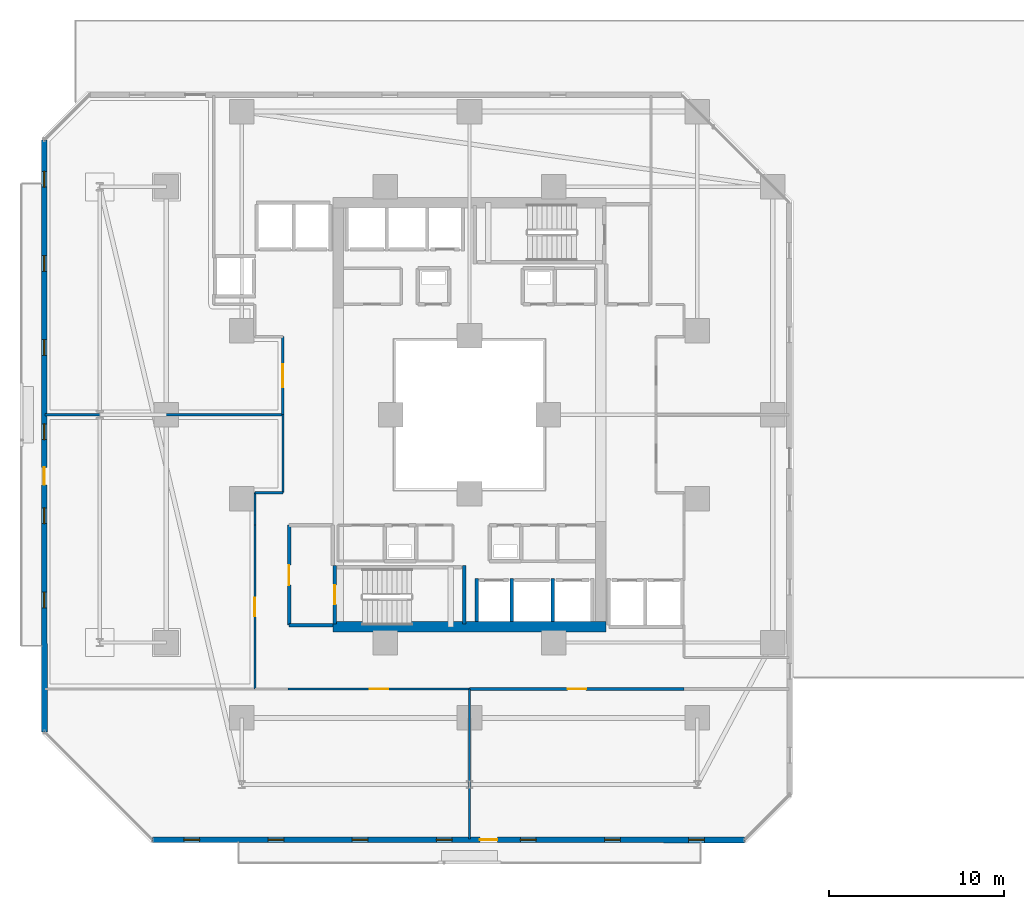
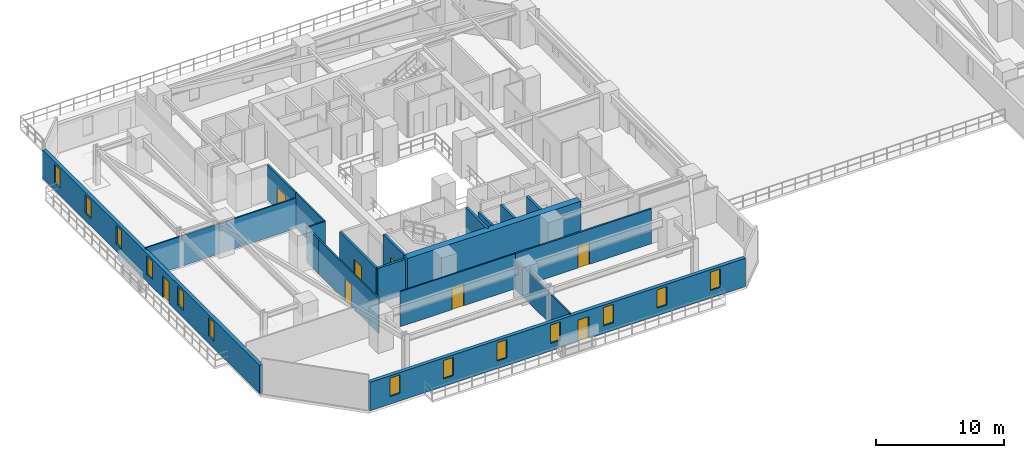
# One storey, part 18 of 34: 19 walls, 13 windows, 8 doors, 21 openings.
"""IFC4 building model written with IfcOpenShell, lengths in metres."""

from ifc_helpers import new_model, si_unit, direction, frame, frame_2d, origin, place, context, subcontext, project, spatial, rectangle, extrude, material, layer, layer_set, type_object, element, fill, save


model = new_model("IFC4")

# Units and contexts
model_context = context("Model", 3, precision=1e-05, world=origin(), true_north=direction((0.0, 1.0)))
body_context = subcontext(model_context, "Body", "Model", "MODEL_VIEW")
ifc_project = project(units=[si_unit("LENGTHUNIT", "METRE"), si_unit("AREAUNIT", "SQUARE_METRE"), si_unit("VOLUMEUNIT", "CUBIC_METRE"), si_unit("PLANEANGLEUNIT", "RADIAN"), si_unit("MASSUNIT", "GRAM", prefix="KILO")], contexts=[model_context])

# Site, building, storey
site_placement = place(None, origin())
site = spatial("IfcSite", under=ifc_project, at=site_placement, CompositionType="ELEMENT")
building_placement = place(site_placement, origin())
building = spatial("IfcBuilding", under=site, at=building_placement, Name="Thornwick Lancets Civic Towers", CompositionType="ELEMENT")
storey_placement = place(building_placement, frame((0.0, 0.0, 27.89990234375)))
storey = spatial("IfcBuildingStorey", under=building, at=storey_placement, Name="L06", CompositionType="ELEMENT", Elevation=27.89990234375)

# Walls
ifc_material_1 = material(Name="Concrete blockwork C40/50", Category="masonry")
ifc_layer_1 = layer(ifc_material_1, 0.199951171875, Name="Concrete blockwork C40/50")
ifc_layer_set_1 = layer_set([ifc_layer_1], Name="Concrete blockwork C40/50")
wall_type_1 = type_object("IfcWallType", Name="WALL_COMP_200", PredefinedType="STANDARD", material=ifc_layer_set_1)
for number, where, z_axis, x_axis, name in (
    (1, (27.89990234375, 15.2119140625, 0.0), (0.0, 0.0, 1.0), (0.0, 1.0, 0.0), "L06 Hoistway Shaft Wall FL-A1 E"),
    (2, (25.89990234375, 15.2119140625, 0.0), (0.0, 0.0, 1.0), (0.0, 1.0, 0.0), "L06 Hoistway Shaft Wall FL-A1 W"),
    (3, (30.25, 15.2119140625, 0.0), (0.0, 0.0, 1.0), (0.0, 1.0, 0.0), "L06 Hoistway Shaft Wall PL-AH1 E"),
):
    element("IfcWall", number, at=place(storey_placement, frame(where, z_axis=z_axis, x_axis=x_axis)), inside=storey, type_object=wall_type_1, Name=name, PredefinedType="STANDARD", context=body_context, shape_type="SweptSolid", body=[
        extrude(rectangle(XDim=2.43603515625, YDim=0.199951171875, at=frame_2d((1.218017578125, 0.0))), origin(), (0.0, 0.0, 1.0), 3.340087890625),
    ])
wall_1_placement = place(storey_placement, frame((15.199951171875, 15.0, 0.0), z_axis=(0.0, 0.0, 1.0), x_axis=(1.0, 0.0, 0.0)))
element("IfcWall", 4, at=wall_1_placement, inside=storey, type_object=wall_type_1, Name="L06 Partition L06-A-FFLOB1 E1", PredefinedType="STANDARD", context=body_context, shape_type="SweptSolid", body=[
    extrude(rectangle(XDim=2.5, YDim=0.199951171875, at=frame_2d((1.25, 0.0))), origin(), (0.0, 0.0, 1.0), 3.340087890625),
])

# Wall, opening, door
wall_2_placement = place(storey_placement, frame((15.199951171875, 20.699951171875, 0.0), z_axis=(0.0, 0.0, 1.0), x_axis=(0.0, -1.0, 0.0)))
wall_2 = element("IfcWall", 5, at=wall_2_placement, inside=storey, type_object=wall_type_1, Name="L06 Partition L06-A-FFLOB1 E4", PredefinedType="STANDARD", context=body_context, shape_type="SweptSolid", body=[
    extrude(rectangle(XDim=5.699951171875, YDim=0.199951171875, at=frame_2d((2.85009765625, 0.0))), origin(), (0.0, 0.0, 1.0), 3.340087890625),
])
opening_1_placement = place(wall_2_placement, frame((2.27490234375, 0.0, 0.0)))
opening_1 = element("IfcOpeningElement", 6, at=opening_1_placement, cuts=wall_2, Name="Opening D-L06-0321", PredefinedType="OPENING", context=body_context, shape_type="SweptSolid", body=[
    extrude(rectangle(XDim=1.14990234375, YDim=2.10009765625, at=frame_2d((0.574951171875, 1.050048828125))), frame((0.0, 0.10986328125, 0.0), z_axis=(0.0, -1.0, 0.0), x_axis=(1.0, 0.0, 0.0)), (0.0, 0.0, 1.0), 0.219970703125),
])
ifc_material_2 = material(Name="Glazed fire-resisting steel", Category="steel")
door_type_1 = type_object("IfcDoorType", Name="DOOR_LOBBY_FD60", OperationType="NOTDEFINED", PredefinedType="DOOR", material=ifc_material_2)
door_1_placement = place(opening_1_placement, origin())
door_1 = element("IfcDoor", 7, at=door_1_placement, inside=storey, type_object=door_type_1, Name="L06 South Firefighting Lobby 1 Door", OperationType="SINGLE_SWING_RIGHT", OverallHeight=2.10009765625, OverallWidth=1.14990234375, PredefinedType="DOOR", context=body_context, shape_type="SweptSolid", body=[
    extrude(rectangle(XDim=1.14990234375, YDim=2.10009765625, at=frame_2d((0.574951171875, 1.050048828125))), frame((0.0, 0.02490234375, 0.0), z_axis=(0.0, -1.0, 0.0), x_axis=(1.0, 0.0, 0.0)), (0.0, 0.0, 1.0), 0.050048828125),
])
fill(opening_1, door_1)

# Wall
ifc_material_3 = material(Name="Concrete C60/75", Category="concrete")
ifc_layer_2 = layer(ifc_material_3, 0.60009765625, Name="Concrete C60/75")
ifc_layer_set_2 = layer_set([ifc_layer_2], Name="Concrete C60/75")
wall_type_2 = type_object("IfcWallType", Name="WALL_CORE_600", PredefinedType="SHEAR", material=ifc_layer_set_2)
wall_3_placement = place(storey_placement, frame((17.699951171875, 14.89990234375, 0.0), z_axis=(0.0, 0.0, 1.0), x_axis=(1.0, 0.0, 0.0)))
element("IfcWall", 8, at=wall_3_placement, inside=storey, type_object=wall_type_2, Name="L06 Split Core A1 Shear Wall S", PredefinedType="SHEAR", context=body_context, shape_type="SweptSolid", body=[
    extrude(rectangle(XDim=15.60009765625, YDim=0.60009765625, at=frame_2d((7.800048828125, 0.0))), origin(), (0.0, 0.0, 1.0), 3.60009765625),
])

# Wall, openings, door, windows
ifc_material_4 = material(Name="Insulated buff terracotta rainscreen on concrete C40/50", Category="masonry")
ifc_layer_3 = layer(ifc_material_4, 0.320068359375, Name="Insulated buff terracotta rainscreen on concrete C40/50")
ifc_layer_set_3 = layer_set([ifc_layer_3], Name="Insulated buff terracotta rainscreen on concrete C40/50")
wall_type_3 = type_object("IfcWallType", Name="WALL_EXT_TERRA_320", PredefinedType="STANDARD", material=ifc_layer_set_3)
wall_4_placement = place(storey_placement, frame((7.404296875, 2.74658203125, 0.0), z_axis=(0.0, 0.0, 1.0), x_axis=(0.999999942296, -0.000339718087, 0.0)))
wall_4 = element("IfcWall", 9, at=wall_4_placement, inside=storey, type_object=wall_type_3, Name="L06 Tower A Terracotta Facade Wall E0", PredefinedType="STANDARD", context=body_context, shape_type="SweptSolid", body=[
    extrude(rectangle(XDim=33.77685546875, YDim=0.320068359375, at=frame_2d((16.888427734375, 0.0))), origin(), (0.0, 0.0, 1.0), 2.7001953125),
])
opening_2_placement = place(wall_4_placement, frame((18.6884765625, 0.0, 0.0)))
opening_2 = element("IfcOpeningElement", 10, at=opening_2_placement, cuts=wall_4, Name="Opening D-BL-L06-AS", PredefinedType="OPENING", context=body_context, shape_type="SweptSolid", body=[
    extrude(rectangle(XDim=1.0, YDim=2.080078125, at=frame_2d((0.5, 1.0400390625))), frame((0.0, 0.169921875, 0.0), z_axis=(0.0, -1.0, 0.0), x_axis=(1.0, 0.0, 0.0)), (0.0, 0.0, 1.0), 0.340087890625),
])
opening_3_placement = place(wall_4_placement, frame((1.800048828125, 0.0, 0.719970703125)))
opening_3 = element("IfcOpeningElement", 11, at=opening_3_placement, cuts=wall_4, Name="Opening WL-01", PredefinedType="OPENING", context=body_context, shape_type="SweptSolid", body=[
    extrude(rectangle(XDim=0.89990234375, YDim=1.75, at=frame_2d((0.449951171875, 0.875))), frame((0.0, 0.169921875, 0.0), z_axis=(0.0, -1.0, 0.0), x_axis=(1.0, 0.0, 0.0)), (0.0, 0.0, 1.0), 0.340087890625),
])
opening_4_placement = place(wall_4_placement, frame((6.60009765625, 0.0, 0.719970703125)))
opening_4 = element("IfcOpeningElement", 12, at=opening_4_placement, cuts=wall_4, Name="Opening WL-01", PredefinedType="OPENING", context=body_context, shape_type="SweptSolid", body=[
    extrude(rectangle(XDim=0.89990234375, YDim=1.75, at=frame_2d((0.449951171875, 0.875))), frame((0.0, 0.169921875, 0.0), z_axis=(0.0, -1.0, 0.0), x_axis=(1.0, 0.0, 0.0)), (0.0, 0.0, 1.0), 0.340087890625),
])
opening_5_placement = place(wall_4_placement, frame((11.39990234375, 0.0, 0.719970703125)))
opening_5 = element("IfcOpeningElement", 13, at=opening_5_placement, cuts=wall_4, Name="Opening WL-01", PredefinedType="OPENING", context=body_context, shape_type="SweptSolid", body=[
    extrude(rectangle(XDim=0.89990234375, YDim=1.75, at=frame_2d((0.449951171875, 0.875))), frame((0.0, 0.169921875, 0.0), z_axis=(0.0, -1.0, 0.0), x_axis=(1.0, 0.0, 0.0)), (0.0, 0.0, 1.0), 0.340087890625),
])
opening_6_placement = place(wall_4_placement, frame((16.199951171875, 0.0, 0.719970703125)))
opening_6 = element("IfcOpeningElement", 14, at=opening_6_placement, cuts=wall_4, Name="Opening WL-01", PredefinedType="OPENING", context=body_context, shape_type="SweptSolid", body=[
    extrude(rectangle(XDim=0.89990234375, YDim=1.75, at=frame_2d((0.449951171875, 0.875))), frame((0.0, 0.169921875, 0.0), z_axis=(0.0, -1.0, 0.0), x_axis=(1.0, 0.0, 0.0)), (0.0, 0.0, 1.0), 0.340087890625),
])
opening_7_placement = place(wall_4_placement, frame((21.0, 0.0, 0.719970703125)))
opening_7 = element("IfcOpeningElement", 15, at=opening_7_placement, cuts=wall_4, Name="Opening WL-01", PredefinedType="OPENING", context=body_context, shape_type="SweptSolid", body=[
    extrude(rectangle(XDim=0.89990234375, YDim=1.75, at=frame_2d((0.449951171875, 0.875))), frame((0.0, 0.169921875, 0.0), z_axis=(0.0, -1.0, 0.0), x_axis=(1.0, 0.0, 0.0)), (0.0, 0.0, 1.0), 0.340087890625),
])
opening_8_placement = place(wall_4_placement, frame((25.800048828125, 0.0, 0.719970703125)))
opening_8 = element("IfcOpeningElement", 16, at=opening_8_placement, cuts=wall_4, Name="Opening WL-01", PredefinedType="OPENING", context=body_context, shape_type="SweptSolid", body=[
    extrude(rectangle(XDim=0.89990234375, YDim=1.75, at=frame_2d((0.449951171875, 0.875))), frame((0.0, 0.169921875, 0.0), z_axis=(0.0, -1.0, 0.0), x_axis=(1.0, 0.0, 0.0)), (0.0, 0.0, 1.0), 0.340087890625),
])
opening_9_placement = place(wall_4_placement, frame((30.60009765625, 0.0, 0.719970703125)))
opening_9 = element("IfcOpeningElement", 17, at=opening_9_placement, cuts=wall_4, Name="Opening WL-01", PredefinedType="OPENING", context=body_context, shape_type="SweptSolid", body=[
    extrude(rectangle(XDim=0.89990234375, YDim=1.75, at=frame_2d((0.449951171875, 0.875))), frame((0.0, 0.169921875, 0.0), z_axis=(0.0, -1.0, 0.0), x_axis=(1.0, 0.0, 0.0)), (0.0, 0.0, 1.0), 0.340087890625),
])
ifc_material_5 = material(Name="Thermally broken glazed loggia doorset")
door_type_2 = type_object("IfcDoorType", Name="DOOR_BALC_1000", OperationType="NOTDEFINED", PredefinedType="DOOR", material=ifc_material_5)
door_2_placement = place(opening_2_placement, origin())
door_2 = element("IfcDoor", 18, at=door_2_placement, inside=storey, type_object=door_type_2, Name="L06 Tower A Loggia Balcony Door S", OperationType="SINGLE_SWING_LEFT", OverallHeight=2.080078125, OverallWidth=1.0, PredefinedType="DOOR", context=body_context, shape_type="SweptSolid", body=[
    extrude(rectangle(XDim=1.0, YDim=2.080078125, at=frame_2d((0.5, 1.0400390625))), frame((0.0, 0.02490234375, 0.0), z_axis=(0.0, -1.0, 0.0), x_axis=(1.0, 0.0, 0.0)), (0.0, 0.0, 1.0), 0.050048828125),
])
fill(opening_2, door_2)
ifc_material_6 = material(Name="Clear low-e double glazing in bronze frame", Category="glass")
window_type = type_object("IfcWindowType", Name="WIN_LANCET_900", PartitioningType="SINGLE_PANEL", PredefinedType="WINDOW", material=ifc_material_6)
window_1_placement = place(opening_3_placement, origin())
window_1 = element("IfcWindow", 19, at=window_1_placement, inside=storey, type_object=window_type, Name="L06 Tower A Staggered Lancet Window E0-1", OverallHeight=1.75, OverallWidth=0.89990234375, PartitioningType="SINGLE_PANEL", PredefinedType="WINDOW", context=body_context, shape_type="SweptSolid", body=[
    extrude(rectangle(XDim=0.89990234375, YDim=1.75, at=frame_2d((0.449951171875, 0.875))), frame((0.0, 0.030029296875, 0.0), z_axis=(0.0, -1.0, 0.0), x_axis=(1.0, 0.0, 0.0)), (0.0, 0.0, 1.0), 0.06005859375),
])
fill(opening_3, window_1)
window_2_placement = place(opening_4_placement, origin())
window_2 = element("IfcWindow", 20, at=window_2_placement, inside=storey, type_object=window_type, Name="L06 Tower A Staggered Lancet Window E0-2", OverallHeight=1.75, OverallWidth=0.89990234375, PartitioningType="SINGLE_PANEL", PredefinedType="WINDOW", context=body_context, shape_type="SweptSolid", body=[
    extrude(rectangle(XDim=0.89990234375, YDim=1.75, at=frame_2d((0.449951171875, 0.875))), frame((0.0, 0.030029296875, 0.0), z_axis=(0.0, -1.0, 0.0), x_axis=(1.0, 0.0, 0.0)), (0.0, 0.0, 1.0), 0.06005859375),
])
fill(opening_4, window_2)
window_3_placement = place(opening_5_placement, origin())
window_3 = element("IfcWindow", 21, at=window_3_placement, inside=storey, type_object=window_type, Name="L06 Tower A Staggered Lancet Window E0-3", OverallHeight=1.75, OverallWidth=0.89990234375, PartitioningType="SINGLE_PANEL", PredefinedType="WINDOW", context=body_context, shape_type="SweptSolid", body=[
    extrude(rectangle(XDim=0.89990234375, YDim=1.75, at=frame_2d((0.449951171875, 0.875))), frame((0.0, 0.030029296875, 0.0), z_axis=(0.0, -1.0, 0.0), x_axis=(1.0, 0.0, 0.0)), (0.0, 0.0, 1.0), 0.06005859375),
])
fill(opening_5, window_3)
window_4_placement = place(opening_6_placement, origin())
window_4 = element("IfcWindow", 22, at=window_4_placement, inside=storey, type_object=window_type, Name="L06 Tower A Staggered Lancet Window E0-4", OverallHeight=1.75, OverallWidth=0.89990234375, PartitioningType="SINGLE_PANEL", PredefinedType="WINDOW", context=body_context, shape_type="SweptSolid", body=[
    extrude(rectangle(XDim=0.89990234375, YDim=1.75, at=frame_2d((0.449951171875, 0.875))), frame((0.0, 0.030029296875, 0.0), z_axis=(0.0, -1.0, 0.0), x_axis=(1.0, 0.0, 0.0)), (0.0, 0.0, 1.0), 0.06005859375),
])
fill(opening_6, window_4)
window_5_placement = place(opening_7_placement, origin())
window_5 = element("IfcWindow", 23, at=window_5_placement, inside=storey, type_object=window_type, Name="L06 Tower A Staggered Lancet Window E0-5", OverallHeight=1.75, OverallWidth=0.89990234375, PartitioningType="SINGLE_PANEL", PredefinedType="WINDOW", context=body_context, shape_type="SweptSolid", body=[
    extrude(rectangle(XDim=0.89990234375, YDim=1.75, at=frame_2d((0.449951171875, 0.875))), frame((0.0, 0.030029296875, 0.0), z_axis=(0.0, -1.0, 0.0), x_axis=(1.0, 0.0, 0.0)), (0.0, 0.0, 1.0), 0.06005859375),
])
fill(opening_7, window_5)
window_6_placement = place(opening_8_placement, origin())
window_6 = element("IfcWindow", 24, at=window_6_placement, inside=storey, type_object=window_type, Name="L06 Tower A Staggered Lancet Window E0-6", OverallHeight=1.75, OverallWidth=0.89990234375, PartitioningType="SINGLE_PANEL", PredefinedType="WINDOW", context=body_context, shape_type="SweptSolid", body=[
    extrude(rectangle(XDim=0.89990234375, YDim=1.75, at=frame_2d((0.449951171875, 0.875))), frame((0.0, 0.030029296875, 0.0), z_axis=(0.0, -1.0, 0.0), x_axis=(1.0, 0.0, 0.0)), (0.0, 0.0, 1.0), 0.06005859375),
])
fill(opening_8, window_6)
window_7_placement = place(opening_9_placement, origin())
window_7 = element("IfcWindow", 25, at=window_7_placement, inside=storey, type_object=window_type, Name="L06 Tower A Staggered Lancet Window E0-7", OverallHeight=1.75, OverallWidth=0.89990234375, PartitioningType="SINGLE_PANEL", PredefinedType="WINDOW", context=body_context, shape_type="SweptSolid", body=[
    extrude(rectangle(XDim=0.89990234375, YDim=1.75, at=frame_2d((0.449951171875, 0.875))), frame((0.0, 0.030029296875, 0.0), z_axis=(0.0, -1.0, 0.0), x_axis=(1.0, 0.0, 0.0)), (0.0, 0.0, 1.0), 0.06005859375),
])
fill(opening_9, window_7)

wall_5_placement = place(storey_placement, frame((1.235107421875, 42.68115234375, 0.0), z_axis=(0.0, 0.0, 1.0), x_axis=(0.000339718087, -0.999999942296, 0.0)))
wall_5 = element("IfcWall", 26, at=wall_5_placement, inside=storey, type_object=wall_type_3, Name="L06 Tower A Terracotta Facade Wall E6", PredefinedType="STANDARD", context=body_context, shape_type="SweptSolid", body=[
    extrude(rectangle(XDim=33.77685546875, YDim=0.320068359375, at=frame_2d((16.888427734375, 0.0))), origin(), (0.0, 0.0, 1.0), 2.7001953125),
])
opening_10_placement = place(wall_5_placement, frame((18.6884765625, 0.0, 0.0)))
opening_10 = element("IfcOpeningElement", 27, at=opening_10_placement, cuts=wall_5, Name="Opening D-BL-L06-AW", PredefinedType="OPENING", context=body_context, shape_type="SweptSolid", body=[
    extrude(rectangle(XDim=1.0, YDim=2.080078125, at=frame_2d((0.5, 1.0400390625))), frame((0.0, 0.169921875, 0.0), z_axis=(0.0, -1.0, 0.0), x_axis=(1.0, 0.0, 0.0)), (0.0, 0.0, 1.0), 0.340087890625),
])
opening_11_placement = place(wall_5_placement, frame((1.800048828125, 0.0, 0.719970703125)))
opening_11 = element("IfcOpeningElement", 28, at=opening_11_placement, cuts=wall_5, Name="Opening WL-01", PredefinedType="OPENING", context=body_context, shape_type="SweptSolid", body=[
    extrude(rectangle(XDim=0.89990234375, YDim=1.75, at=frame_2d((0.449951171875, 0.875))), frame((0.0, 0.169921875, 0.0), z_axis=(0.0, -1.0, 0.0), x_axis=(1.0, 0.0, 0.0)), (0.0, 0.0, 1.0), 0.340087890625),
])
opening_12_placement = place(wall_5_placement, frame((6.60009765625, 0.0, 0.719970703125)))
opening_12 = element("IfcOpeningElement", 29, at=opening_12_placement, cuts=wall_5, Name="Opening WL-01", PredefinedType="OPENING", context=body_context, shape_type="SweptSolid", body=[
    extrude(rectangle(XDim=0.89990234375, YDim=1.75, at=frame_2d((0.449951171875, 0.875))), frame((0.0, 0.169921875, 0.0), z_axis=(0.0, -1.0, 0.0), x_axis=(1.0, 0.0, 0.0)), (0.0, 0.0, 1.0), 0.340087890625),
])
opening_13_placement = place(wall_5_placement, frame((11.39990234375, 0.0, 0.719970703125)))
opening_13 = element("IfcOpeningElement", 30, at=opening_13_placement, cuts=wall_5, Name="Opening WL-01", PredefinedType="OPENING", context=body_context, shape_type="SweptSolid", body=[
    extrude(rectangle(XDim=0.89990234375, YDim=1.75, at=frame_2d((0.449951171875, 0.875))), frame((0.0, 0.169921875, 0.0), z_axis=(0.0, -1.0, 0.0), x_axis=(1.0, 0.0, 0.0)), (0.0, 0.0, 1.0), 0.340087890625),
])
opening_14_placement = place(wall_5_placement, frame((16.199951171875, 0.0, 0.719970703125)))
opening_14 = element("IfcOpeningElement", 31, at=opening_14_placement, cuts=wall_5, Name="Opening WL-01", PredefinedType="OPENING", context=body_context, shape_type="SweptSolid", body=[
    extrude(rectangle(XDim=0.89990234375, YDim=1.75, at=frame_2d((0.449951171875, 0.875))), frame((0.0, 0.169921875, 0.0), z_axis=(0.0, -1.0, 0.0), x_axis=(1.0, 0.0, 0.0)), (0.0, 0.0, 1.0), 0.340087890625),
])
opening_15_placement = place(wall_5_placement, frame((21.0, 0.0, 0.719970703125)))
opening_15 = element("IfcOpeningElement", 32, at=opening_15_placement, cuts=wall_5, Name="Opening WL-01", PredefinedType="OPENING", context=body_context, shape_type="SweptSolid", body=[
    extrude(rectangle(XDim=0.89990234375, YDim=1.75, at=frame_2d((0.449951171875, 0.875))), frame((0.0, 0.169921875, 0.0), z_axis=(0.0, -1.0, 0.0), x_axis=(1.0, 0.0, 0.0)), (0.0, 0.0, 1.0), 0.340087890625),
])
opening_16_placement = place(wall_5_placement, frame((25.800048828125, 0.0, 0.719970703125)))
opening_16 = element("IfcOpeningElement", 33, at=opening_16_placement, cuts=wall_5, Name="Opening WL-01", PredefinedType="OPENING", context=body_context, shape_type="SweptSolid", body=[
    extrude(rectangle(XDim=0.89990234375, YDim=1.75, at=frame_2d((0.449951171875, 0.875))), frame((0.0, 0.169921875, 0.0), z_axis=(0.0, -1.0, 0.0), x_axis=(1.0, 0.0, 0.0)), (0.0, 0.0, 1.0), 0.340087890625),
])
door_3_placement = place(opening_10_placement, origin())
door_3 = element("IfcDoor", 34, at=door_3_placement, inside=storey, type_object=door_type_2, Name="L06 Tower A Loggia Balcony Door W", OperationType="SINGLE_SWING_LEFT", OverallHeight=2.080078125, OverallWidth=1.0, PredefinedType="DOOR", context=body_context, shape_type="SweptSolid", body=[
    extrude(rectangle(XDim=1.0, YDim=2.080078125, at=frame_2d((0.5, 1.0400390625))), frame((0.0, 0.02490234375, 0.0), z_axis=(0.0, -1.0, 0.0), x_axis=(1.0, 0.0, 0.0)), (0.0, 0.0, 1.0), 0.050048828125),
])
fill(opening_10, door_3)
window_8_placement = place(opening_11_placement, origin())
window_8 = element("IfcWindow", 35, at=window_8_placement, inside=storey, type_object=window_type, Name="L06 Tower A Staggered Lancet Window E6-1", OverallHeight=1.75, OverallWidth=0.89990234375, PartitioningType="SINGLE_PANEL", PredefinedType="WINDOW", context=body_context, shape_type="SweptSolid", body=[
    extrude(rectangle(XDim=0.89990234375, YDim=1.75, at=frame_2d((0.449951171875, 0.875))), frame((0.0, 0.030029296875, 0.0), z_axis=(0.0, -1.0, 0.0), x_axis=(1.0, 0.0, 0.0)), (0.0, 0.0, 1.0), 0.06005859375),
])
fill(opening_11, window_8)
window_9_placement = place(opening_12_placement, origin())
window_9 = element("IfcWindow", 36, at=window_9_placement, inside=storey, type_object=window_type, Name="L06 Tower A Staggered Lancet Window E6-2", OverallHeight=1.75, OverallWidth=0.89990234375, PartitioningType="SINGLE_PANEL", PredefinedType="WINDOW", context=body_context, shape_type="SweptSolid", body=[
    extrude(rectangle(XDim=0.89990234375, YDim=1.75, at=frame_2d((0.449951171875, 0.875))), frame((0.0, 0.030029296875, 0.0), z_axis=(0.0, -1.0, 0.0), x_axis=(1.0, 0.0, 0.0)), (0.0, 0.0, 1.0), 0.06005859375),
])
fill(opening_12, window_9)
window_10_placement = place(opening_13_placement, origin())
window_10 = element("IfcWindow", 37, at=window_10_placement, inside=storey, type_object=window_type, Name="L06 Tower A Staggered Lancet Window E6-3", OverallHeight=1.75, OverallWidth=0.89990234375, PartitioningType="SINGLE_PANEL", PredefinedType="WINDOW", context=body_context, shape_type="SweptSolid", body=[
    extrude(rectangle(XDim=0.89990234375, YDim=1.75, at=frame_2d((0.449951171875, 0.875))), frame((0.0, 0.030029296875, 0.0), z_axis=(0.0, -1.0, 0.0), x_axis=(1.0, 0.0, 0.0)), (0.0, 0.0, 1.0), 0.06005859375),
])
fill(opening_13, window_10)
window_11_placement = place(opening_14_placement, origin())
window_11 = element("IfcWindow", 38, at=window_11_placement, inside=storey, type_object=window_type, Name="L06 Tower A Staggered Lancet Window E6-4", OverallHeight=1.75, OverallWidth=0.89990234375, PartitioningType="SINGLE_PANEL", PredefinedType="WINDOW", context=body_context, shape_type="SweptSolid", body=[
    extrude(rectangle(XDim=0.89990234375, YDim=1.75, at=frame_2d((0.449951171875, 0.875))), frame((0.0, 0.030029296875, 0.0), z_axis=(0.0, -1.0, 0.0), x_axis=(1.0, 0.0, 0.0)), (0.0, 0.0, 1.0), 0.06005859375),
])
fill(opening_14, window_11)
window_12_placement = place(opening_15_placement, origin())
window_12 = element("IfcWindow", 39, at=window_12_placement, inside=storey, type_object=window_type, Name="L06 Tower A Staggered Lancet Window E6-5", OverallHeight=1.75, OverallWidth=0.89990234375, PartitioningType="SINGLE_PANEL", PredefinedType="WINDOW", context=body_context, shape_type="SweptSolid", body=[
    extrude(rectangle(XDim=0.89990234375, YDim=1.75, at=frame_2d((0.449951171875, 0.875))), frame((0.0, 0.030029296875, 0.0), z_axis=(0.0, -1.0, 0.0), x_axis=(1.0, 0.0, 0.0)), (0.0, 0.0, 1.0), 0.06005859375),
])
fill(opening_15, window_12)
window_13_placement = place(opening_16_placement, origin())
window_13 = element("IfcWindow", 40, at=window_13_placement, inside=storey, type_object=window_type, Name="L06 Tower A Staggered Lancet Window E6-6", OverallHeight=1.75, OverallWidth=0.89990234375, PartitioningType="SINGLE_PANEL", PredefinedType="WINDOW", context=body_context, shape_type="SweptSolid", body=[
    extrude(rectangle(XDim=0.89990234375, YDim=1.75, at=frame_2d((0.449951171875, 0.875))), frame((0.0, 0.030029296875, 0.0), z_axis=(0.0, -1.0, 0.0), x_axis=(1.0, 0.0, 0.0)), (0.0, 0.0, 1.0), 0.06005859375),
])
fill(opening_16, window_13)

# Walls
ifc_material_7 = material(Name="Acoustic gypsum board partition")
ifc_layer_4 = layer(ifc_material_7, 0.1201171875, Name="Acoustic gypsum board partition")
ifc_layer_set_4 = layer_set([ifc_layer_4], Name="Acoustic gypsum board partition")
wall_type_4 = type_object("IfcWallType", Name="WALL_PART_120", PredefinedType="PARTITIONING", material=ifc_layer_set_4)
wall_6_placement = place(storey_placement, frame((14.85009765625, 22.550048828125, 0.0), z_axis=(0.0, 0.0, 1.0), x_axis=(-1.0, 0.0, 0.0)))
element("IfcWall", 41, at=wall_6_placement, inside=storey, type_object=wall_type_4, Name="L06 Partition L06-A-W1 E1", PredefinedType="PARTITIONING", context=body_context, shape_type="SweptSolid", body=[
    extrude(rectangle(XDim=1.60009765625, YDim=0.1201171875, at=frame_2d((0.800048828125, 0.0))), origin(), (0.0, 0.0, 1.0), 3.340087890625),
])
wall_7_placement = place(storey_placement, frame((13.25, 22.550048828125, 0.0), z_axis=(0.0, 0.0, 1.0), x_axis=(0.0, -1.0, 0.0)))
element("IfcWall", 42, at=wall_7_placement, inside=storey, type_object=wall_type_4, Name="L06 Partition L06-A-W1 E2", PredefinedType="PARTITIONING", context=body_context, shape_type="SweptSolid", body=[
    extrude(rectangle(XDim=1.85009765625, YDim=0.1201171875, at=frame_2d((0.925048828125, 0.0))), origin(), (0.0, 0.0, 1.0), 3.340087890625),
])

# Wall, opening, door
wall_8_placement = place(storey_placement, frame((13.25, 20.699951171875, 0.0), z_axis=(0.0, 0.0, 1.0), x_axis=(0.0, -1.0, 0.0)))
wall_8 = element("IfcWall", 43, at=wall_8_placement, inside=storey, type_object=wall_type_4, Name="L06 Partition L06-A-W1 E3", PredefinedType="PARTITIONING", context=body_context, shape_type="SweptSolid", body=[
    extrude(rectangle(XDim=9.349853515625, YDim=0.1201171875, at=frame_2d((4.6748046875, 0.0))), origin(), (0.0, 0.0, 1.0), 3.340087890625),
])
opening_17_placement = place(wall_8_placement, frame((4.14990234375, 0.0, 0.0)))
opening_17 = element("IfcOpeningElement", 44, at=opening_17_placement, cuts=wall_8, Name="Opening D-L06-0345", PredefinedType="OPENING", context=body_context, shape_type="SweptSolid", body=[
    extrude(rectangle(XDim=1.050048828125, YDim=2.10009765625, at=frame_2d((0.52490234375, 1.050048828125))), frame((0.0, 0.070068359375, 0.0), z_axis=(0.0, -1.0, 0.0), x_axis=(1.0, 0.0, 0.0)), (0.0, 0.0, 1.0), 0.14013671875),
])
ifc_material_8 = material(Name="Glazed European oak executive doorset")
door_type_3 = type_object("IfcDoorType", Name="DOOR_OFFICE_1050", OperationType="NOTDEFINED", PredefinedType="DOOR", material=ifc_material_8)
door_4_placement = place(opening_17_placement, origin())
door_4 = element("IfcDoor", 45, at=door_4_placement, inside=storey, type_object=door_type_3, Name="L06 Tower A Ministry Directorate Office W1 Door", OperationType="SINGLE_SWING_RIGHT", OverallHeight=2.10009765625, OverallWidth=1.050048828125, PredefinedType="DOOR", context=body_context, shape_type="SweptSolid", body=[
    extrude(rectangle(XDim=1.050048828125, YDim=2.10009765625, at=frame_2d((0.52490234375, 1.050048828125))), frame((0.0, 0.02490234375, 0.0), z_axis=(0.0, -1.0, 0.0), x_axis=(1.0, 0.0, 0.0)), (0.0, 0.0, 1.0), 0.050048828125),
])
fill(opening_17, door_4)

# Walls
wall_9_placement = place(storey_placement, frame((1.280029296875, 27.0, 0.0), z_axis=(0.0, 0.0, 1.0), x_axis=(1.0, 0.0, 0.0)))
element("IfcWall", 46, at=wall_9_placement, inside=storey, type_object=wall_type_4, Name="L06 Partition L06-A-W1 E6", PredefinedType="PARTITIONING", context=body_context, shape_type="SweptSolid", body=[
    extrude(rectangle(XDim=13.570068359375, YDim=0.1201171875, at=frame_2d((6.78515625, 0.0))), origin(), (0.0, 0.0, 1.0), 2.8779296875),
])
wall_10_placement = place(storey_placement, frame((14.85009765625, 27.0, 0.0), z_axis=(0.0, 0.0, 1.0), x_axis=(0.0, -1.0, 0.0)))
element("IfcWall", 47, at=wall_10_placement, inside=storey, type_object=wall_type_4, Name="L06 Partition L06-A-W1 E7", PredefinedType="PARTITIONING", context=body_context, shape_type="SweptSolid", body=[
    extrude(rectangle(XDim=4.449951171875, YDim=0.1201171875, at=frame_2d((2.22509765625, 0.0))), origin(), (0.0, 0.0, 1.0), 3.340087890625),
])

# Wall, opening, door
wall_11_placement = place(storey_placement, frame((15.14990234375, 11.35009765625, 0.0), z_axis=(0.0, 0.0, 1.0), x_axis=(1.0, 0.0, 0.0)))
wall_11 = element("IfcWall", 48, at=wall_11_placement, inside=storey, type_object=wall_type_4, Name="L06 Partition L06-A-S-OFF E6", PredefinedType="PARTITIONING", context=body_context, shape_type="SweptSolid", body=[
    extrude(rectangle(XDim=10.35009765625, YDim=0.1201171875, at=frame_2d((5.175048828125, 0.0))), origin(), (0.0, 0.0, 1.0), 3.340087890625),
])
opening_18_placement = place(wall_11_placement, frame((4.64990234375, 0.0, 0.0)))
opening_18 = element("IfcOpeningElement", 49, at=opening_18_placement, cuts=wall_11, Name="Opening D-L06-0349", PredefinedType="OPENING", context=body_context, shape_type="SweptSolid", body=[
    extrude(rectangle(XDim=1.050048828125, YDim=2.10009765625, at=frame_2d((0.52490234375, 1.050048828125))), frame((0.0, 0.070068359375, 0.0), z_axis=(0.0, -1.0, 0.0), x_axis=(1.0, 0.0, 0.0)), (0.0, 0.0, 1.0), 0.14013671875),
])
door_5_placement = place(opening_18_placement, origin())
door_5 = element("IfcDoor", 50, at=door_5_placement, inside=storey, type_object=door_type_3, Name="L06 Tower A South Division Office Door", OperationType="SINGLE_SWING_RIGHT", OverallHeight=2.10009765625, OverallWidth=1.050048828125, PredefinedType="DOOR", context=body_context, shape_type="SweptSolid", body=[
    extrude(rectangle(XDim=1.050048828125, YDim=2.10009765625, at=frame_2d((0.52490234375, 1.050048828125))), frame((0.0, 0.02490234375, 0.0), z_axis=(0.0, -1.0, 0.0), x_axis=(1.0, 0.0, 0.0)), (0.0, 0.0, 1.0), 0.050048828125),
])
fill(opening_18, door_5)

# Wall
wall_12_placement = place(storey_placement, frame((25.5, 11.35009765625, 0.0), z_axis=(0.0, 0.0, 1.0), x_axis=(0.0, -1.0, 0.0)))
element("IfcWall", 51, at=wall_12_placement, inside=storey, type_object=wall_type_4, Name="L06 Partition L06-A-S-OFF E7", PredefinedType="PARTITIONING", context=body_context, shape_type="SweptSolid", body=[
    extrude(rectangle(XDim=8.570068359375, YDim=0.1201171875, at=frame_2d((4.28515625, 0.0))), origin(), (0.0, 0.0, 1.0), 2.8779296875),
])

# Wall, opening, door
ifc_material_9 = material(Name="Twin-stud acoustic gypsum board")
ifc_layer_5 = layer(ifc_material_9, 0.14990234375, Name="Twin-stud acoustic gypsum board")
ifc_layer_set_5 = layer_set([ifc_layer_5], Name="Twin-stud acoustic gypsum board")
wall_type_5 = type_object("IfcWallType", Name="WALL_PART_150", PredefinedType="PARTITIONING", material=ifc_layer_set_5)
wall_13_placement = place(storey_placement, frame((14.85009765625, 31.449951171875, 0.0), z_axis=(0.0, 0.0, 1.0), x_axis=(0.0, -1.0, 0.0)))
wall_13 = element("IfcWall", 52, at=wall_13_placement, inside=storey, type_object=wall_type_5, Name="L06 Partition L06-A-W2 E4", PredefinedType="PARTITIONING", context=body_context, shape_type="SweptSolid", body=[
    extrude(rectangle(XDim=4.449951171875, YDim=0.14990234375, at=frame_2d((2.22509765625, 0.0))), origin(), (0.0, 0.0, 1.0), 3.340087890625),
])
opening_19_placement = place(wall_13_placement, frame((1.574951171875, 0.0, 0.0)))
opening_19 = element("IfcOpeningElement", 53, at=opening_19_placement, cuts=wall_13, Name="Opening D-L06-0346", PredefinedType="OPENING", context=body_context, shape_type="SweptSolid", body=[
    extrude(rectangle(XDim=1.300048828125, YDim=2.1201171875, at=frame_2d((0.64990234375, 1.06005859375))), frame((0.0, 0.0849609375, 0.0), z_axis=(0.0, -1.0, 0.0), x_axis=(1.0, 0.0, 0.0)), (0.0, 0.0, 1.0), 0.169921875),
])
ifc_material_10 = material(Name="Acoustic oak leaf-and-a-half doorset")
door_type_4 = type_object("IfcDoorType", Name="DOOR_MEET_1300", OperationType="DOUBLE_DOOR_SINGLE_SWING", PredefinedType="DOOR", material=ifc_material_10)
door_6_placement = place(opening_19_placement, origin())
door_6 = element("IfcDoor", 54, at=door_6_placement, inside=storey, type_object=door_type_4, Name="L06 Tower A Policy Briefing Room W2 Door", OperationType="DOUBLE_DOOR_SINGLE_SWING", OverallHeight=2.1201171875, OverallWidth=1.300048828125, PredefinedType="DOOR", context=body_context, shape_type="SweptSolid", body=[
    extrude(rectangle(XDim=1.300048828125, YDim=2.1201171875, at=frame_2d((0.64990234375, 1.06005859375))), frame((0.0, 0.02490234375, 0.0), z_axis=(0.0, -1.0, 0.0), x_axis=(1.0, 0.0, 0.0)), (0.0, 0.0, 1.0), 0.050048828125),
])
fill(opening_19, door_6)

wall_14_placement = place(storey_placement, frame((25.5, 11.35009765625, 0.0), z_axis=(0.0, 0.0, 1.0), x_axis=(1.0, 0.0, 0.0)))
wall_14 = element("IfcWall", 55, at=wall_14_placement, inside=storey, type_object=wall_type_5, Name="L06 Partition L06-A-S-ARCH E3", PredefinedType="PARTITIONING", context=body_context, shape_type="SweptSolid", body=[
    extrude(rectangle(XDim=12.25, YDim=0.14990234375, at=frame_2d((6.125, 0.0))), origin(), (0.0, 0.0, 1.0), 3.340087890625),
])
opening_20_placement = place(wall_14_placement, frame((5.60009765625, 0.0, 0.0)))
opening_20 = element("IfcOpeningElement", 56, at=opening_20_placement, cuts=wall_14, Name="Opening D-L06-0350", PredefinedType="OPENING", context=body_context, shape_type="SweptSolid", body=[
    extrude(rectangle(XDim=1.050048828125, YDim=2.10009765625, at=frame_2d((0.52490234375, 1.050048828125))), frame((0.0, 0.0849609375, 0.0), z_axis=(0.0, -1.0, 0.0), x_axis=(1.0, 0.0, 0.0)), (0.0, 0.0, 1.0), 0.169921875),
])
door_7_placement = place(opening_20_placement, origin())
door_7 = element("IfcDoor", 57, at=door_7_placement, inside=storey, type_object=door_type_3, Name="L06 Tower A Registry and Records Archive Door", OperationType="SINGLE_SWING_LEFT", OverallHeight=2.10009765625, OverallWidth=1.050048828125, PredefinedType="DOOR", context=body_context, shape_type="SweptSolid", body=[
    extrude(rectangle(XDim=1.050048828125, YDim=2.10009765625, at=frame_2d((0.52490234375, 1.050048828125))), frame((0.0, 0.02490234375, 0.0), z_axis=(0.0, -1.0, 0.0), x_axis=(1.0, 0.0, 0.0)), (0.0, 0.0, 1.0), 0.050048828125),
])
fill(opening_20, door_7)

ifc_material_11 = material(Name="Concrete C40/50", Category="concrete")
ifc_layer_6 = layer(ifc_material_11, 0.199951171875, Name="Concrete C40/50")
ifc_layer_set_6 = layer_set([ifc_layer_6], Name="Concrete C40/50")
wall_type_6 = type_object("IfcWallType", Name="WALL_SHAFT_200", PredefinedType="SHEAR", material=ifc_layer_set_6)
wall_15_placement = place(storey_placement, frame((17.800048828125, 15.050048828125, 0.0), z_axis=(0.0, 0.0, 1.0), x_axis=(0.0, 1.0, 0.0)))
wall_15 = element("IfcWall", 58, at=wall_15_placement, inside=storey, type_object=wall_type_6, Name="L06 ST-A1 Fire Stair Core Wall NEAR", PredefinedType="SHEAR", context=body_context, shape_type="SweptSolid", body=[
    extrude(rectangle(XDim=3.349853515625, YDim=0.199951171875, at=frame_2d((1.6748046875, 0.0))), origin(), (0.0, 0.0, 1.0), 3.60009765625),
])
opening_21_placement = place(wall_15_placement, frame((1.125, 0.0, 0.0)))
opening_21 = element("IfcOpeningElement", 59, at=opening_21_placement, cuts=wall_15, Name="Opening D-ST-A1-L06", PredefinedType="OPENING", context=body_context, shape_type="SweptSolid", body=[
    extrude(rectangle(XDim=1.10009765625, YDim=2.10009765625, at=frame_2d((0.550048828125, 1.050048828125))), frame((0.0, 0.10986328125, 0.0), z_axis=(0.0, -1.0, 0.0), x_axis=(1.0, 0.0, 0.0)), (0.0, 0.0, 1.0), 0.219970703125),
])
ifc_material_12 = material(Name="Fire-resisting steel and hardwood", Category="steel")
door_type_5 = type_object("IfcDoorType", Name="DOOR_STAIR_FD60", OperationType="NOTDEFINED", PredefinedType="DOOR", material=ifc_material_12)
door_8_placement = place(opening_21_placement, origin())
door_8 = element("IfcDoor", 60, at=door_8_placement, inside=storey, type_object=door_type_5, Name="L06 ST-A1 Exit Stair Door", OperationType="SINGLE_SWING_RIGHT", OverallHeight=2.10009765625, OverallWidth=1.10009765625, PredefinedType="DOOR", context=body_context, shape_type="SweptSolid", body=[
    extrude(rectangle(XDim=1.10009765625, YDim=2.10009765625, at=frame_2d((0.550048828125, 1.050048828125))), frame((0.0, 0.02490234375, 0.0), z_axis=(0.0, -1.0, 0.0), x_axis=(1.0, 0.0, 0.0)), (0.0, 0.0, 1.0), 0.050048828125),
])
fill(opening_21, door_8)

# Wall
wall_16_placement = place(storey_placement, frame((25.199951171875, 18.39990234375, 0.0), z_axis=(0.0, 0.0, 1.0), x_axis=(0.0, -1.0, 0.0)))
element("IfcWall", 61, at=wall_16_placement, inside=storey, type_object=wall_type_6, Name="L06 ST-A1 Fire Stair Core Wall FAR", PredefinedType="SHEAR", context=body_context, shape_type="SweptSolid", body=[
    extrude(rectangle(XDim=3.349853515625, YDim=0.199951171875, at=frame_2d((1.6748046875, 0.0))), origin(), (0.0, 0.0, 1.0), 3.60009765625),
])

save(model, "model.ifc")
